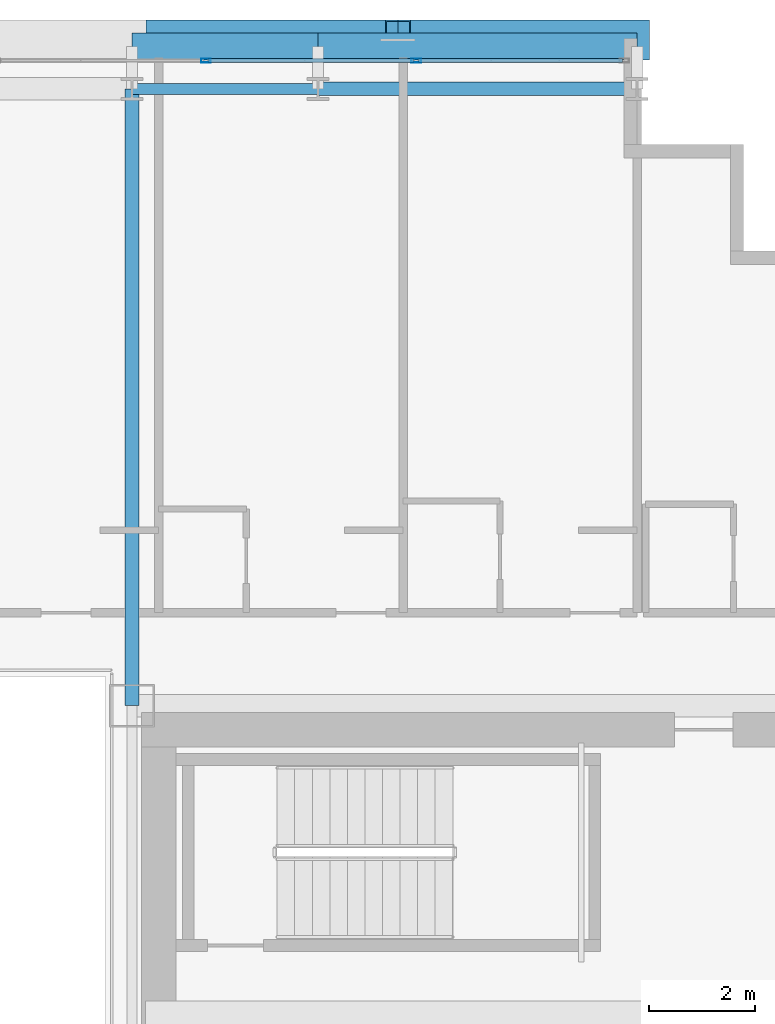
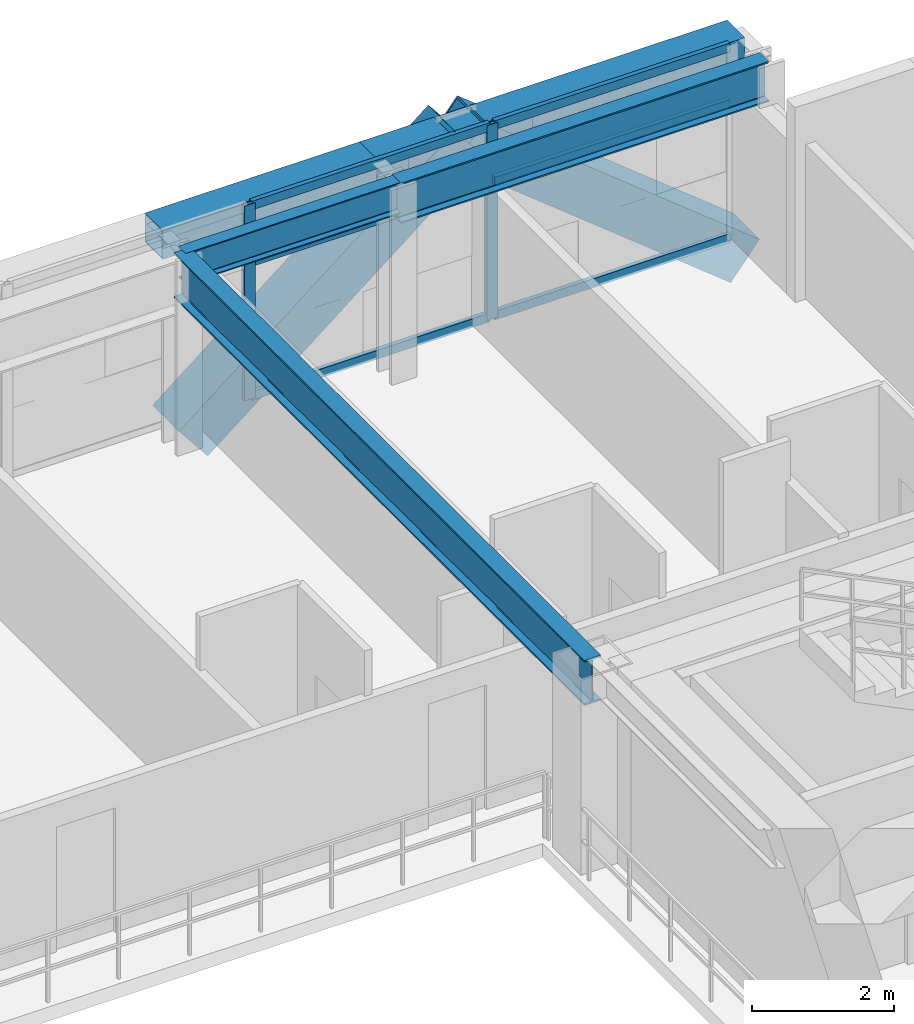
# One storey, part 21 of 36: 10 members, 5 beams, 1 element without a shape of its own.
"""IFC4 building model written with IfcOpenShell, lengths in metres."""

from ifc_helpers import new_model, si_unit, direction, frame, origin, origin_2d, place, context, subcontext, project, spatial, hollow_rectangle, i_section, extrude, source, transform, mapped, material, layer, layer_set, material_profile, profile_set, type_object, element, aggregate, save


model = new_model("IFC4")

# Units and contexts
model_context = context("Model", 3, precision=1e-05, world=origin(), true_north=direction((0.0, 1.0)))
body_context = subcontext(model_context, "Body", "Model", "MODEL_VIEW")
ifc_project = project(units=[si_unit("LENGTHUNIT", "METRE"), si_unit("AREAUNIT", "SQUARE_METRE"), si_unit("VOLUMEUNIT", "CUBIC_METRE"), si_unit("PLANEANGLEUNIT", "RADIAN"), si_unit("MASSUNIT", "GRAM", prefix="KILO")], contexts=[model_context])

# Site, building, storey
site_placement = place(None, origin())
site = spatial("IfcSite", under=ifc_project, at=site_placement, CompositionType="ELEMENT")
building_placement = place(site_placement, origin())
building = spatial("IfcBuilding", under=site, at=building_placement, Name="Ocotamira Hotel", CompositionType="ELEMENT")
storey_placement = place(building_placement, frame((0.0, 0.0, 97.199951171875)))
storey = spatial("IfcBuildingStorey", under=building, at=storey_placement, Name="L23", CompositionType="ELEMENT", Elevation=97.199951171875)

# Beams
ifc_material_1 = material(Name="Steel ASTM A992 Grade 50", Category="steel")
ifc_material_profile_1 = material_profile(ifc_material_1, i_section(OverallWidth=0.256103515625, OverallDepth=0.693115234375, WebThickness=0.014404296875, FlangeThickness=0.023681640625, FilletRadius=0.01611328125, at=origin_2d()), Name="W27X114")
ifc_profile_set_1 = profile_set([ifc_material_profile_1], Name="Steel ASTM A992 Grade 50")
beam_type_1 = type_object("IfcBeamType", Name="BM-PRIM-W27X114", PredefinedType="BEAM", material=ifc_profile_set_1)
shared_shape_1 = source(origin(), body_context, "Body", "SweptSolid", [
    extrude(i_section(OverallWidth=0.256103515625, OverallDepth=0.693115234375, WebThickness=0.014404296875, FlangeThickness=0.023681640625, FilletRadius=0.01611328125, at=origin_2d()), origin(), (0.0, 0.0, 1.0), 6.0),
])
beam_1_placement = place(storey_placement, frame((44.0, 49.050048828125, 3.013427734375), z_axis=(1.0, 0.0, 0.0), x_axis=(0.0, 1.0, 0.0)))
element("IfcBeam", 1, at=beam_1_placement, inside=storey, type_object=beam_type_1, Name="L23 Girder Y49.05 X44-50", PredefinedType="BEAM", context=body_context, shape_type="MappedRepresentation", body=[
    mapped(shared_shape_1, transform((0.0, 0.0, 0.0), scale=1.0)),
])
ifc_material_profile_2 = material_profile(ifc_material_1, i_section(OverallWidth=0.2099609375, OverallDepth=0.537109375, WebThickness=0.010986328125, FlangeThickness=0.017333984375, FilletRadius=0.012939453125, at=origin_2d()), Name="W21X68")
ifc_profile_set_2 = profile_set([ifc_material_profile_2], Name="Steel ASTM A992 Grade 50")
beam_type_2 = type_object("IfcBeamType", Name="BM-SEC-W21X68", PredefinedType="JOIST", material=ifc_profile_set_2)
shared_shape_2 = source(origin(), body_context, "Body", "SweptSolid", [
    extrude(i_section(OverallWidth=0.2099609375, OverallDepth=0.537109375, WebThickness=0.010986328125, FlangeThickness=0.017333984375, FilletRadius=0.012939453125, at=origin_2d()), origin(), (0.0, 0.0, 1.0), 3.5),
])
beam_2_placement = place(storey_placement, frame((40.5, 49.050048828125, 3.091552734375), z_axis=(1.0, 0.0, 0.0), x_axis=(0.0, 1.0, 0.0)))
element("IfcBeam", 2, at=beam_2_placement, inside=storey, type_object=beam_type_2, Name="L23 Girder Y49.05 X40.5-44", PredefinedType="JOIST", context=body_context, shape_type="MappedRepresentation", body=[
    mapped(shared_shape_2, transform((0.0, 0.0, 0.0), scale=1.0)),
])
ifc_material_profile_3 = material_profile(ifc_material_1, i_section(OverallWidth=0.26611328125, OverallDepth=0.779052734375, WebThickness=0.0166015625, FlangeThickness=0.030029296875, FilletRadius=0.01806640625, at=origin_2d()), Name="W30X148")
ifc_profile_set_3 = profile_set([ifc_material_profile_3], Name="Steel ASTM A992 Grade 50")
beam_type_3 = type_object("IfcBeamType", Name="BM-GIRD-W30X148", PredefinedType="BEAM", material=ifc_profile_set_3)
shared_shape_3 = source(origin(), body_context, "Body", "SweptSolid", [
    extrude(i_section(OverallWidth=0.26611328125, OverallDepth=0.779052734375, WebThickness=0.0166015625, FlangeThickness=0.030029296875, FilletRadius=0.01806640625, at=origin_2d()), origin(), (0.0, 0.0, 1.0), 11.60009765625),
])
beam_3_placement = place(storey_placement, frame((40.5, 37.449951171875, 2.970458984375), z_axis=(0.0, 1.0, 0.0), x_axis=(-1.0, 0.0, 0.0)))
element("IfcBeam", 3, at=beam_3_placement, inside=storey, type_object=beam_type_3, Name="L23 Beam X40.5 Y37.45-49.05", PredefinedType="BEAM", context=body_context, shape_type="MappedRepresentation", body=[
    mapped(shared_shape_3, transform((0.0, 0.0, 0.0), scale=1.0)),
])
ifc_material_2 = material(Name="Steel ASTM A500 Grade C", Category="steel")
ifc_material_profile_4 = material_profile(ifc_material_2, hollow_rectangle(XDim=0.5, YDim=0.5, WallThickness=0.02001953125, at=origin_2d()), Name="HSS500X500X20")
ifc_profile_set_4 = profile_set([ifc_material_profile_4], Name="Steel ASTM A500 Grade C")
beam_type_4 = type_object("IfcBeamType", Name="BM-SPAN-HSS500", PredefinedType="USERDEFINED", material=ifc_profile_set_4)
shared_shape_4 = source(origin(), body_context, "Body", "SweptSolid", [
    extrude(hollow_rectangle(XDim=0.5, YDim=0.5, WallThickness=0.02001953125, at=origin_2d()), origin(), (0.0, 0.0, 1.0), 6.0),
])
beam_4_placement = place(storey_placement, frame((44.0, 49.85009765625, 3.110107421875), z_axis=(1.0, 0.0, 0.0), x_axis=(0.0, 1.0, 0.0)))
element("IfcBeam", 4, at=beam_4_placement, inside=storey, type_object=beam_type_4, Name="L23 Edge Spandrel N X44-50", ObjectType="SPANDREL", PredefinedType="USERDEFINED", context=body_context, shape_type="MappedRepresentation", body=[
    mapped(shared_shape_4, transform((0.0, 0.0, 0.0), scale=1.0)),
])
shared_shape_5 = source(origin(), body_context, "Body", "SweptSolid", [
    extrude(hollow_rectangle(XDim=0.5, YDim=0.5, WallThickness=0.02001953125, at=origin_2d()), origin(), (0.0, 0.0, 1.0), 3.5),
])
beam_5_placement = place(storey_placement, frame((40.5, 49.85009765625, 3.110107421875), z_axis=(1.0, 0.0, 0.0), x_axis=(0.0, 1.0, 0.0)))
element("IfcBeam", 5, at=beam_5_placement, inside=storey, type_object=beam_type_4, Name="L23 Edge Spandrel N X40.5-44", ObjectType="SPANDREL", PredefinedType="USERDEFINED", context=body_context, shape_type="MappedRepresentation", body=[
    mapped(shared_shape_5, transform((0.0, 0.0, 0.0), scale=1.0)),
])

# Members
ifc_material_3 = material(Name="Pale-metal coated steel ASTM A913 Grade 65", Category="steel")
ifc_material_profile_5 = material_profile(ifc_material_3, hollow_rectangle(XDim=0.75, YDim=0.75, WallThickness=0.028076171875, at=origin_2d()), Name="BOX750X750X28")
ifc_profile_set_5 = profile_set([ifc_material_profile_5], Name="Pale-metal coated steel ASTM A913 Grade 65")
member_type_1 = type_object("IfcMemberType", Name="MEM-EXO-BOX750", PredefinedType="BRACE", material=ifc_profile_set_5)
shared_shape_6 = source(origin(), body_context, "Body", "SweptSolid", [
    extrude(hollow_rectangle(XDim=0.75, YDim=0.75, WallThickness=0.028076171875, at=origin_2d()), origin(), (0.0, 0.0, 1.0), 5.762939453125),
])
for number, where, z_axis, x_axis, name in (
    (6, (41.0, 49.969970703125, -0.489990234375), (0.780860543151, 0.0, 0.624705380279), (0.0, 1.0, 0.0), "L23 Exoskeleton Diagrid N3.1"),
    (7, (50.0, 49.969970703125, -0.489990234375), (-0.780860543151, 0.0, 0.624705380279), (0.0, -1.0, 0.0), "L23 Exoskeleton Diagrid N3.2"),
):
    element("IfcMember", number, at=place(storey_placement, frame(where, z_axis=z_axis, x_axis=x_axis)), inside=storey, type_object=member_type_1, Name=name, PredefinedType="BRACE", context=body_context, shape_type="MappedRepresentation", body=[
        mapped(shared_shape_6, transform((0.0, 0.0, 0.0), scale=1.0)),
    ])

# Curtain wall, members
ifc_material_4 = material(Name="Anodised pale-metal aluminium and solar glass", Category="aluminium")
ifc_layer = layer(ifc_material_4, 0.179931640625)
ifc_layer_set = layer_set([ifc_layer], Name="Anodised pale-metal aluminium and solar glass")
curtain_wall_type = type_object("IfcCurtainWallType", Name="CW-SYS3-Z2", PredefinedType="NOTDEFINED", material=ifc_layer_set)
curtain_wall_placement = place(storey_placement, origin())
curtain_wall = element("IfcCurtainWall", 8, at=curtain_wall_placement, inside=storey, type_object=curtain_wall_type, Name="L23 Curtain Wall CW-3 CW-L23-N", PredefinedType="NOTDEFINED")
ifc_material_5 = material(Name="Anodised pale-metal aluminium 6063-T6", Category="aluminium")
ifc_material_profile_6 = material_profile(ifc_material_5, hollow_rectangle(XDim=0.074951171875, YDim=0.14990234375, WallThickness=0.006103515625, at=origin_2d()), Name="HSS150X75X6")
ifc_profile_set_6 = profile_set([ifc_material_profile_6], Name="Anodised pale-metal aluminium 6063-T6")
member_type_2 = type_object("IfcMemberType", Name="CWT-150X75", PredefinedType="USERDEFINED", material=ifc_profile_set_6)
shared_shape_7 = source(origin(), body_context, "Body", "SweptSolid", [
    extrude(hollow_rectangle(XDim=0.074951171875, YDim=0.14990234375, WallThickness=0.006103515625, at=origin_2d()), origin(), (0.0, 0.0, 1.0), 3.83544921875),
])
member_1_placement = place(storey_placement, frame((45.884521484375, 49.580078125, 0.03759765625), z_axis=(1.0, 0.0, 0.0), x_axis=(0.0, 1.0, 0.0)))
member_1 = element("IfcMember", 9, at=member_1_placement, type_object=member_type_2, Name="CW-3 transom 9.1", ObjectType="TRANSOM", PredefinedType="USERDEFINED", context=body_context, shape_type="MappedRepresentation", body=[
    mapped(shared_shape_7, transform((0.0, 0.0, 0.0), scale=1.0)),
])
member_2_placement = place(storey_placement, frame((45.884521484375, 49.580078125, 2.35009765625), z_axis=(1.0, 0.0, 0.0), x_axis=(0.0, 1.0, 0.0)))
member_2 = element("IfcMember", 10, at=member_2_placement, type_object=member_type_2, Name="CW-3 transom 9.2", ObjectType="TRANSOM", PredefinedType="USERDEFINED", context=body_context, shape_type="MappedRepresentation", body=[
    mapped(shared_shape_7, transform((0.0, 0.0, 0.0), scale=1.0)),
])
member_3_placement = place(storey_placement, frame((45.884521484375, 49.580078125, 3.322509765625), z_axis=(1.0, 0.0, 0.0), x_axis=(0.0, 1.0, 0.0)))
member_3 = element("IfcMember", 11, at=member_3_placement, type_object=member_type_2, Name="CW-3 transom 9.3", ObjectType="TRANSOM", PredefinedType="USERDEFINED", context=body_context, shape_type="MappedRepresentation", body=[
    mapped(shared_shape_7, transform((0.0, 0.0, 0.0), scale=1.0)),
])
shared_shape_8 = source(origin(), body_context, "Body", "SweptSolid", [
    extrude(hollow_rectangle(XDim=0.074951171875, YDim=0.14990234375, WallThickness=0.006103515625, at=origin_2d()), origin(), (0.0, 0.0, 1.0), 3.87548828125),
])
member_4_placement = place(storey_placement, frame((41.928955078125, 49.580078125, 0.03759765625), z_axis=(1.0, 0.0, 0.0), x_axis=(0.0, 1.0, 0.0)))
member_4 = element("IfcMember", 12, at=member_4_placement, type_object=member_type_2, Name="CW-3 transom 8.1", ObjectType="TRANSOM", PredefinedType="USERDEFINED", context=body_context, shape_type="MappedRepresentation", body=[
    mapped(shared_shape_8, transform((0.0, 0.0, 0.0), scale=1.0)),
])
member_5_placement = place(storey_placement, frame((41.928955078125, 49.580078125, 2.35009765625), z_axis=(1.0, 0.0, 0.0), x_axis=(0.0, 1.0, 0.0)))
member_5 = element("IfcMember", 13, at=member_5_placement, type_object=member_type_2, Name="CW-3 transom 8.2", ObjectType="TRANSOM", PredefinedType="USERDEFINED", context=body_context, shape_type="MappedRepresentation", body=[
    mapped(shared_shape_8, transform((0.0, 0.0, 0.0), scale=1.0)),
])
member_6_placement = place(storey_placement, frame((41.928955078125, 49.580078125, 3.322509765625), z_axis=(1.0, 0.0, 0.0), x_axis=(0.0, 1.0, 0.0)))
member_6 = element("IfcMember", 14, at=member_6_placement, type_object=member_type_2, Name="CW-3 transom 8.3", ObjectType="TRANSOM", PredefinedType="USERDEFINED", context=body_context, shape_type="MappedRepresentation", body=[
    mapped(shared_shape_8, transform((0.0, 0.0, 0.0), scale=1.0)),
])
ifc_material_profile_7 = material_profile(ifc_material_5, hollow_rectangle(XDim=0.080078125, YDim=0.179931640625, WallThickness=0.006103515625, at=origin_2d()), Name="HSS180X80X6")
ifc_profile_set_7 = profile_set([ifc_material_profile_7], Name="Anodised pale-metal aluminium 6063-T6")
member_type_3 = type_object("IfcMemberType", Name="CWM-180X75", PredefinedType="MULLION", material=ifc_profile_set_7)
shared_shape_9 = source(origin(), body_context, "Body", "SweptSolid", [
    extrude(hollow_rectangle(XDim=0.080078125, YDim=0.179931640625, WallThickness=0.006103515625, at=origin_2d()), origin(), (0.0, 0.0, 1.0), 3.360107421875),
])
member_7_placement = place(storey_placement, frame((41.888916015625, 49.580078125, 0.0), z_axis=(0.0, 0.0, 1.0), x_axis=(0.0, 1.0, 0.0)))
member_7 = element("IfcMember", 15, at=member_7_placement, type_object=member_type_3, Name="CW-3 mullion 8", PredefinedType="MULLION", context=body_context, shape_type="MappedRepresentation", body=[
    mapped(shared_shape_9, transform((0.0, 0.0, 0.0), scale=1.0)),
])
member_8_placement = place(storey_placement, frame((45.844482421875, 49.580078125, 0.0), z_axis=(0.0, 0.0, 1.0), x_axis=(0.0, 1.0, 0.0)))
member_8 = element("IfcMember", 16, at=member_8_placement, type_object=member_type_3, Name="CW-3 mullion 9", PredefinedType="MULLION", context=body_context, shape_type="MappedRepresentation", body=[
    mapped(shared_shape_9, transform((0.0, 0.0, 0.0), scale=1.0)),
])
aggregate(curtain_wall, [member_7, member_8, member_4, member_5, member_6, member_1, member_2, member_3])

save(model, "model.ifc")
